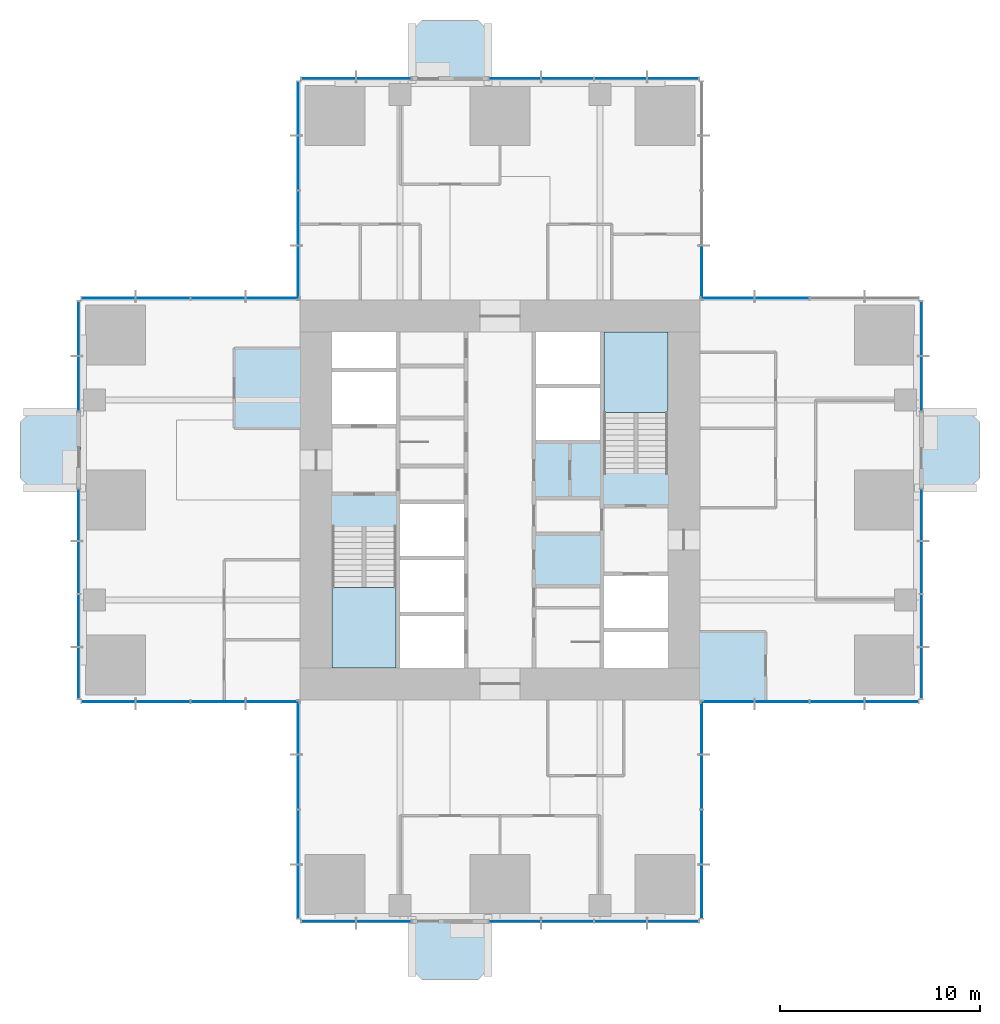
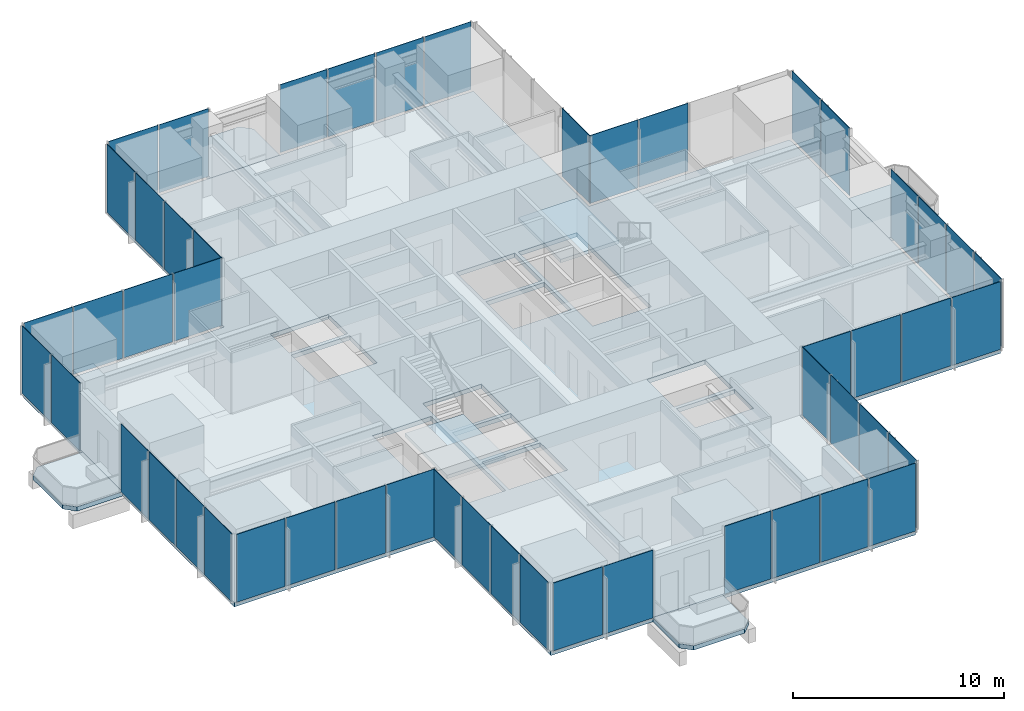
# One storey, part 7 of 13: 51 plates, 7 slabs, 18 elements without a shape of their own.
"""IFC4 building model written with IfcOpenShell, lengths in metres."""

from ifc_helpers import new_model, si_unit, direction, frame, origin, origin_2d, place, context, subcontext, project, spatial, polyline, rectangle, outline, extrude, material, layer, layer_set, type_object, element, aggregate, save


model = new_model("IFC4")

# Units and contexts
model_context = context("Model", 3, precision=1e-05, world=origin(), true_north=direction((0.0, 1.0)))
body_context = subcontext(model_context, "Body", "Model", "MODEL_VIEW")
ifc_project = project(units=[si_unit("LENGTHUNIT", "METRE"), si_unit("AREAUNIT", "SQUARE_METRE"), si_unit("VOLUMEUNIT", "CUBIC_METRE"), si_unit("PLANEANGLEUNIT", "RADIAN"), si_unit("MASSUNIT", "GRAM", prefix="KILO")], contexts=[model_context])

# Site, building, storey
site_placement = place(None, origin())
site = spatial("IfcSite", under=ifc_project, at=site_placement, CompositionType="ELEMENT")
building_placement = place(site_placement, origin())
building = spatial("IfcBuilding", under=site, at=building_placement, Name="Svetlomir Tower", CompositionType="ELEMENT")
storey_placement = place(building_placement, frame((0.0, 0.0, 156.5)))
storey = spatial("IfcBuildingStorey", under=building, at=storey_placement, Name="L37", CompositionType="ELEMENT", Elevation=156.5)

# Slabs
ifc_material_1 = material(Name="Concrete C60/75", Category="concrete")
ifc_layer_1 = layer(ifc_material_1, 0.25)
ifc_layer_set_1 = layer_set([ifc_layer_1], Name="Concrete C60/75")
slab_type_1 = type_object("IfcSlabType", Name="BALCONY SLAB 250", PredefinedType="FLOOR", material=ifc_layer_set_1)
slab_1_placement = place(storey_placement, frame((0.0, 0.0, -0.25)))
element("IfcSlab", 1, at=slab_1_placement, inside=storey, type_object=slab_type_1, Name="L37 S planted balcony", PredefinedType="FLOOR", context=body_context, shape_type="SweptSolid", body=[
    extrude(outline(polyline([(16.60009765625, -2.5), (17.10009765625, -3.0), (19.89990234375, -3.0), (20.39990234375, -2.5), (20.39990234375, 0.0), (16.60009765625, 0.0), (16.60009765625, -2.5)])), origin(), (0.0, 0.0, 1.0), 0.25),
])
slab_2_placement = place(storey_placement, frame((0.0, 0.0, -0.25)))
element("IfcSlab", 2, at=slab_2_placement, inside=storey, type_object=slab_type_1, Name="L37 E planted balcony", PredefinedType="FLOOR", context=body_context, shape_type="SweptSolid", body=[
    extrude(outline(polyline([(42.0, 21.60009765625), (44.5, 21.60009765625), (45.0, 22.10009765625), (45.0, 24.89990234375), (44.5, 25.39990234375), (42.0, 25.39990234375), (42.0, 21.60009765625)])), origin(), (0.0, 0.0, 1.0), 0.25),
])
slab_3_placement = place(storey_placement, frame((0.0, 0.0, -0.25)))
element("IfcSlab", 3, at=slab_3_placement, inside=storey, type_object=slab_type_1, Name="L37 N planted balcony", PredefinedType="FLOOR", context=body_context, shape_type="SweptSolid", body=[
    extrude(outline(polyline([(16.60009765625, 42.0), (20.39990234375, 42.0), (20.39990234375, 44.5), (19.89990234375, 45.0), (17.10009765625, 45.0), (16.60009765625, 44.5), (16.60009765625, 42.0)])), origin(), (0.0, 0.0, 1.0), 0.25),
])
slab_4_placement = place(storey_placement, frame((0.0, 0.0, -0.25)))
element("IfcSlab", 4, at=slab_4_placement, inside=storey, type_object=slab_type_1, Name="L37 W planted balcony", PredefinedType="FLOOR", context=body_context, shape_type="SweptSolid", body=[
    extrude(outline(polyline([(-2.5, 21.60009765625), (0.0, 21.60009765625), (0.0, 25.39990234375), (-2.5, 25.39990234375), (-3.0, 24.89990234375), (-3.0, 22.10009765625), (-2.5, 21.60009765625)])), origin(), (0.0, 0.0, 1.0), 0.25),
])

# Curtain wall, plates
ifc_material_2 = material(Name="Bronze anodised aluminium curtain wall", Category="aluminium")
curtain_wall_type = type_object("IfcCurtainWallType", Name="CURTAIN WALL CW1 TOWER OFFICE", PredefinedType="NOTDEFINED", material=ifc_material_2)
curtain_wall_1_placement = place(storey_placement, origin())
curtain_wall_1 = element("IfcCurtainWall", 5, at=curtain_wall_1_placement, inside=storey, type_object=curtain_wall_type, Name="Curtain wall CW1 L37", PredefinedType="NOTDEFINED")
ifc_material_3 = material(Name="Tinted double glazed unit", Category="glass")
ifc_layer_2 = layer(ifc_material_3, 0.031982421875)
ifc_layer_set_2 = layer_set([ifc_layer_2], Name="Tinted double glazed unit")
plate_type = type_object("IfcPlateType", Name="CW1 GLAZED PANEL 32", PredefinedType="CURTAIN_PANEL", material=ifc_layer_set_2)
plate_1_placement = place(storey_placement, frame((12.416259765625, -0.10009765625, 0.06494140625), z_axis=(0.0, 0.0, 1.0), x_axis=(1.0, 0.0, 0.0)))
plate_1 = element("IfcPlate", 6, at=plate_1_placement, type_object=plate_type, Name="CW1 panel 1.1", PredefinedType="CURTAIN_PANEL", context=body_context, shape_type="SweptSolid", body=[
    extrude(rectangle(XDim=2.702392578125, YDim=0.031982421875, at=origin_2d()), origin(), (0.0, 0.0, 1.0), 3.93505859375),
])
plate_2_placement = place(storey_placement, frame((15.183837890625, -0.10009765625, 0.06494140625), z_axis=(0.0, 0.0, 1.0), x_axis=(1.0, 0.0, 0.0)))
plate_2 = element("IfcPlate", 7, at=plate_2_placement, type_object=plate_type, Name="CW1 panel 2.1", PredefinedType="CURTAIN_PANEL", context=body_context, shape_type="SweptSolid", body=[
    extrude(rectangle(XDim=2.702392578125, YDim=0.031982421875, at=origin_2d()), origin(), (0.0, 0.0, 1.0), 3.93505859375),
])
aggregate(curtain_wall_1, [plate_1, plate_2])

curtain_wall_2_placement = place(storey_placement, origin())
curtain_wall_2 = element("IfcCurtainWall", 8, at=curtain_wall_2_placement, inside=storey, type_object=curtain_wall_type, Name="Curtain wall CW1 L37", PredefinedType="NOTDEFINED")
plate_3_placement = place(storey_placement, frame((21.7412109375, -0.10009765625, 0.06494140625), z_axis=(0.0, 0.0, 1.0), x_axis=(1.0, 0.0, 0.0)))
plate_3 = element("IfcPlate", 9, at=plate_3_placement, type_object=plate_type, Name="CW1 panel 1.1", PredefinedType="CURTAIN_PANEL", context=body_context, shape_type="SweptSolid", body=[
    extrude(rectangle(XDim=2.552490234375, YDim=0.031982421875, at=origin_2d()), origin(), (0.0, 0.0, 1.0), 3.93505859375),
])
plate_4_placement = place(storey_placement, frame((24.375, -0.10009765625, 0.06494140625), z_axis=(0.0, 0.0, 1.0), x_axis=(1.0, 0.0, 0.0)))
plate_4 = element("IfcPlate", 10, at=plate_4_placement, type_object=plate_type, Name="CW1 panel 2.1", PredefinedType="CURTAIN_PANEL", context=body_context, shape_type="SweptSolid", body=[
    extrude(rectangle(XDim=2.5849609375, YDim=0.031982421875, at=origin_2d()), origin(), (0.0, 0.0, 1.0), 3.93505859375),
])
plate_5_placement = place(storey_placement, frame((27.02490234375, -0.10009765625, 0.06494140625), z_axis=(0.0, 0.0, 1.0), x_axis=(1.0, 0.0, 0.0)))
plate_5 = element("IfcPlate", 11, at=plate_5_placement, type_object=plate_type, Name="CW1 panel 3.1", PredefinedType="CURTAIN_PANEL", context=body_context, shape_type="SweptSolid", body=[
    extrude(rectangle(XDim=2.5849609375, YDim=0.031982421875, at=origin_2d()), origin(), (0.0, 0.0, 1.0), 3.93505859375),
])
plate_6_placement = place(storey_placement, frame((29.65869140625, -0.10009765625, 0.06494140625), z_axis=(0.0, 0.0, 1.0), x_axis=(1.0, 0.0, 0.0)))
plate_6 = element("IfcPlate", 12, at=plate_6_placement, type_object=plate_type, Name="CW1 panel 4.1", PredefinedType="CURTAIN_PANEL", context=body_context, shape_type="SweptSolid", body=[
    extrude(rectangle(XDim=2.552490234375, YDim=0.031982421875, at=origin_2d()), origin(), (0.0, 0.0, 1.0), 3.93505859375),
])
aggregate(curtain_wall_2, [plate_3, plate_4, plate_5, plate_6])

curtain_wall_3_placement = place(storey_placement, origin())
curtain_wall_3 = element("IfcCurtainWall", 13, at=curtain_wall_3_placement, inside=storey, type_object=curtain_wall_type, Name="Curtain wall CW1 L37", PredefinedType="NOTDEFINED")
plate_7_placement = place(storey_placement, frame((31.10009765625, 1.391357421875, 0.06494140625), z_axis=(0.0, 0.0, 1.0), x_axis=(0.0, 1.0, 0.0)))
plate_7 = element("IfcPlate", 14, at=plate_7_placement, type_object=plate_type, Name="CW1 panel 1.1", PredefinedType="CURTAIN_PANEL", context=body_context, shape_type="SweptSolid", body=[
    extrude(rectangle(XDim=2.652587890625, YDim=0.031982421875, at=origin_2d()), origin(), (0.0, 0.0, 1.0), 3.93505859375),
])
plate_8_placement = place(storey_placement, frame((31.10009765625, 4.125, 0.06494140625), z_axis=(0.0, 0.0, 1.0), x_axis=(0.0, 1.0, 0.0)))
plate_8 = element("IfcPlate", 15, at=plate_8_placement, type_object=plate_type, Name="CW1 panel 2.1", PredefinedType="CURTAIN_PANEL", context=body_context, shape_type="SweptSolid", body=[
    extrude(rectangle(XDim=2.68505859375, YDim=0.031982421875, at=origin_2d()), origin(), (0.0, 0.0, 1.0), 3.93505859375),
])
plate_9_placement = place(storey_placement, frame((31.10009765625, 6.875, 0.06494140625), z_axis=(0.0, 0.0, 1.0), x_axis=(0.0, 1.0, 0.0)))
plate_9 = element("IfcPlate", 16, at=plate_9_placement, type_object=plate_type, Name="CW1 panel 3.1", PredefinedType="CURTAIN_PANEL", context=body_context, shape_type="SweptSolid", body=[
    extrude(rectangle(XDim=2.68505859375, YDim=0.031982421875, at=origin_2d()), origin(), (0.0, 0.0, 1.0), 3.93505859375),
])
plate_10_placement = place(storey_placement, frame((31.10009765625, 9.608642578125, 0.06494140625), z_axis=(0.0, 0.0, 1.0), x_axis=(0.0, 1.0, 0.0)))
plate_10 = element("IfcPlate", 17, at=plate_10_placement, type_object=plate_type, Name="CW1 panel 4.1", PredefinedType="CURTAIN_PANEL", context=body_context, shape_type="SweptSolid", body=[
    extrude(rectangle(XDim=2.652587890625, YDim=0.031982421875, at=origin_2d()), origin(), (0.0, 0.0, 1.0), 3.93505859375),
])
aggregate(curtain_wall_3, [plate_7, plate_8, plate_9, plate_10])

curtain_wall_4_placement = place(storey_placement, origin())
curtain_wall_4 = element("IfcCurtainWall", 18, at=curtain_wall_4_placement, inside=storey, type_object=curtain_wall_type, Name="Curtain wall CW1 L37", PredefinedType="NOTDEFINED")
plate_11_placement = place(storey_placement, frame((32.391357421875, 10.89990234375, 0.06494140625), z_axis=(0.0, 0.0, 1.0), x_axis=(1.0, 0.0, 0.0)))
plate_11 = element("IfcPlate", 19, at=plate_11_placement, type_object=plate_type, Name="CW1 panel 1.1", PredefinedType="CURTAIN_PANEL", context=body_context, shape_type="SweptSolid", body=[
    extrude(rectangle(XDim=2.652587890625, YDim=0.031982421875, at=origin_2d()), origin(), (0.0, 0.0, 1.0), 3.93505859375),
])
plate_12_placement = place(storey_placement, frame((35.125, 10.89990234375, 0.06494140625), z_axis=(0.0, 0.0, 1.0), x_axis=(1.0, 0.0, 0.0)))
plate_12 = element("IfcPlate", 20, at=plate_12_placement, type_object=plate_type, Name="CW1 panel 2.1", PredefinedType="CURTAIN_PANEL", context=body_context, shape_type="SweptSolid", body=[
    extrude(rectangle(XDim=2.68505859375, YDim=0.031982421875, at=origin_2d()), origin(), (0.0, 0.0, 1.0), 3.93505859375),
])
plate_13_placement = place(storey_placement, frame((37.875, 10.89990234375, 0.06494140625), z_axis=(0.0, 0.0, 1.0), x_axis=(1.0, 0.0, 0.0)))
plate_13 = element("IfcPlate", 21, at=plate_13_placement, type_object=plate_type, Name="CW1 panel 3.1", PredefinedType="CURTAIN_PANEL", context=body_context, shape_type="SweptSolid", body=[
    extrude(rectangle(XDim=2.68505859375, YDim=0.031982421875, at=origin_2d()), origin(), (0.0, 0.0, 1.0), 3.93505859375),
])
plate_14_placement = place(storey_placement, frame((40.608642578125, 10.89990234375, 0.06494140625), z_axis=(0.0, 0.0, 1.0), x_axis=(1.0, 0.0, 0.0)))
plate_14 = element("IfcPlate", 22, at=plate_14_placement, type_object=plate_type, Name="CW1 panel 4.1", PredefinedType="CURTAIN_PANEL", context=body_context, shape_type="SweptSolid", body=[
    extrude(rectangle(XDim=2.652587890625, YDim=0.031982421875, at=origin_2d()), origin(), (0.0, 0.0, 1.0), 3.93505859375),
])
aggregate(curtain_wall_4, [plate_11, plate_12, plate_13, plate_14])

curtain_wall_5_placement = place(storey_placement, origin())
curtain_wall_5 = element("IfcCurtainWall", 23, at=curtain_wall_5_placement, inside=storey, type_object=curtain_wall_type, Name="Curtain wall CW1 L37", PredefinedType="NOTDEFINED")
plate_15_placement = place(storey_placement, frame((42.10009765625, 12.34130859375, 0.06494140625), z_axis=(0.0, 0.0, 1.0), x_axis=(0.0, 1.0, 0.0)))
plate_15 = element("IfcPlate", 24, at=plate_15_placement, type_object=plate_type, Name="CW1 panel 1.1", PredefinedType="CURTAIN_PANEL", context=body_context, shape_type="SweptSolid", body=[
    extrude(rectangle(XDim=2.552490234375, YDim=0.031982421875, at=origin_2d()), origin(), (0.0, 0.0, 1.0), 3.93505859375),
])
plate_16_placement = place(storey_placement, frame((42.10009765625, 14.97509765625, 0.06494140625), z_axis=(0.0, 0.0, 1.0), x_axis=(0.0, 1.0, 0.0)))
plate_16 = element("IfcPlate", 25, at=plate_16_placement, type_object=plate_type, Name="CW1 panel 2.1", PredefinedType="CURTAIN_PANEL", context=body_context, shape_type="SweptSolid", body=[
    extrude(rectangle(XDim=2.5849609375, YDim=0.031982421875, at=origin_2d()), origin(), (0.0, 0.0, 1.0), 3.93505859375),
])
plate_17_placement = place(storey_placement, frame((42.10009765625, 17.625, 0.06494140625), z_axis=(0.0, 0.0, 1.0), x_axis=(0.0, 1.0, 0.0)))
plate_17 = element("IfcPlate", 26, at=plate_17_placement, type_object=plate_type, Name="CW1 panel 3.1", PredefinedType="CURTAIN_PANEL", context=body_context, shape_type="SweptSolid", body=[
    extrude(rectangle(XDim=2.5849609375, YDim=0.031982421875, at=origin_2d()), origin(), (0.0, 0.0, 1.0), 3.93505859375),
])
plate_18_placement = place(storey_placement, frame((42.10009765625, 20.2587890625, 0.06494140625), z_axis=(0.0, 0.0, 1.0), x_axis=(0.0, 1.0, 0.0)))
plate_18 = element("IfcPlate", 27, at=plate_18_placement, type_object=plate_type, Name="CW1 panel 4.1", PredefinedType="CURTAIN_PANEL", context=body_context, shape_type="SweptSolid", body=[
    extrude(rectangle(XDim=2.552490234375, YDim=0.031982421875, at=origin_2d()), origin(), (0.0, 0.0, 1.0), 3.93505859375),
])
aggregate(curtain_wall_5, [plate_15, plate_16, plate_17, plate_18])

curtain_wall_6_placement = place(storey_placement, origin())
curtain_wall_6 = element("IfcCurtainWall", 28, at=curtain_wall_6_placement, inside=storey, type_object=curtain_wall_type, Name="Curtain wall CW1 L37", PredefinedType="NOTDEFINED")
plate_19_placement = place(storey_placement, frame((42.10009765625, 26.816162109375, 0.06494140625), z_axis=(0.0, 0.0, 1.0), x_axis=(0.0, 1.0, 0.0)))
plate_19 = element("IfcPlate", 29, at=plate_19_placement, type_object=plate_type, Name="CW1 panel 1.1", PredefinedType="CURTAIN_PANEL", context=body_context, shape_type="SweptSolid", body=[
    extrude(rectangle(XDim=2.702392578125, YDim=0.031982421875, at=origin_2d()), origin(), (0.0, 0.0, 1.0), 3.93505859375),
])
plate_20_placement = place(storey_placement, frame((42.10009765625, 29.583740234375, 0.06494140625), z_axis=(0.0, 0.0, 1.0), x_axis=(0.0, 1.0, 0.0)))
plate_20 = element("IfcPlate", 30, at=plate_20_placement, type_object=plate_type, Name="CW1 panel 2.1", PredefinedType="CURTAIN_PANEL", context=body_context, shape_type="SweptSolid", body=[
    extrude(rectangle(XDim=2.702392578125, YDim=0.031982421875, at=origin_2d()), origin(), (0.0, 0.0, 1.0), 3.93505859375),
])
aggregate(curtain_wall_6, [plate_19, plate_20])

curtain_wall_7_placement = place(storey_placement, origin())
curtain_wall_7 = element("IfcCurtainWall", 31, at=curtain_wall_7_placement, inside=storey, type_object=curtain_wall_type, Name="Curtain wall CW1 L37", PredefinedType="NOTDEFINED")
plate_21_placement = place(storey_placement, frame((35.125, 31.10009765625, 0.06494140625), z_axis=(0.0, 0.0, 1.0), x_axis=(-1.0, 0.0, 0.0)))
plate_21 = element("IfcPlate", 32, at=plate_21_placement, type_object=plate_type, Name="CW1 panel 3.1", PredefinedType="CURTAIN_PANEL", context=body_context, shape_type="SweptSolid", body=[
    extrude(rectangle(XDim=2.68505859375, YDim=0.031982421875, at=origin_2d()), origin(), (0.0, 0.0, 1.0), 3.93505859375),
])
plate_22_placement = place(storey_placement, frame((32.391357421875, 31.10009765625, 0.06494140625), z_axis=(0.0, 0.0, 1.0), x_axis=(-1.0, 0.0, 0.0)))
plate_22 = element("IfcPlate", 33, at=plate_22_placement, type_object=plate_type, Name="CW1 panel 4.1", PredefinedType="CURTAIN_PANEL", context=body_context, shape_type="SweptSolid", body=[
    extrude(rectangle(XDim=2.652587890625, YDim=0.031982421875, at=origin_2d()), origin(), (0.0, 0.0, 1.0), 3.93505859375),
])
aggregate(curtain_wall_7, [plate_21, plate_22])

# Curtain wall, plate
curtain_wall_8_placement = place(storey_placement, origin())
curtain_wall_8 = element("IfcCurtainWall", 34, at=curtain_wall_8_placement, inside=storey, type_object=curtain_wall_type, Name="Curtain wall CW1 L37", PredefinedType="NOTDEFINED")
plate_23_placement = place(storey_placement, frame((31.10009765625, 32.391357421875, 0.06494140625), z_axis=(0.0, 0.0, 1.0), x_axis=(0.0, 1.0, 0.0)))
plate_23 = element("IfcPlate", 35, at=plate_23_placement, type_object=plate_type, Name="CW1 panel 1.1", PredefinedType="CURTAIN_PANEL", context=body_context, shape_type="SweptSolid", body=[
    extrude(rectangle(XDim=2.652587890625, YDim=0.031982421875, at=origin_2d()), origin(), (0.0, 0.0, 1.0), 3.93505859375),
])
aggregate(curtain_wall_8, [plate_23])

# Curtain wall, plates
curtain_wall_9_placement = place(storey_placement, origin())
curtain_wall_9 = element("IfcCurtainWall", 36, at=curtain_wall_9_placement, inside=storey, type_object=curtain_wall_type, Name="Curtain wall CW1 L37", PredefinedType="NOTDEFINED")
plate_24_placement = place(storey_placement, frame((29.65869140625, 42.10009765625, 0.06494140625), z_axis=(0.0, 0.0, 1.0), x_axis=(-1.0, 0.0, 0.0)))
plate_24 = element("IfcPlate", 37, at=plate_24_placement, type_object=plate_type, Name="CW1 panel 1.1", PredefinedType="CURTAIN_PANEL", context=body_context, shape_type="SweptSolid", body=[
    extrude(rectangle(XDim=2.552490234375, YDim=0.031982421875, at=origin_2d()), origin(), (0.0, 0.0, 1.0), 3.93505859375),
])
plate_25_placement = place(storey_placement, frame((27.02490234375, 42.10009765625, 0.06494140625), z_axis=(0.0, 0.0, 1.0), x_axis=(-1.0, 0.0, 0.0)))
plate_25 = element("IfcPlate", 38, at=plate_25_placement, type_object=plate_type, Name="CW1 panel 2.1", PredefinedType="CURTAIN_PANEL", context=body_context, shape_type="SweptSolid", body=[
    extrude(rectangle(XDim=2.5849609375, YDim=0.031982421875, at=origin_2d()), origin(), (0.0, 0.0, 1.0), 3.93505859375),
])
plate_26_placement = place(storey_placement, frame((24.375, 42.10009765625, 0.06494140625), z_axis=(0.0, 0.0, 1.0), x_axis=(-1.0, 0.0, 0.0)))
plate_26 = element("IfcPlate", 39, at=plate_26_placement, type_object=plate_type, Name="CW1 panel 3.1", PredefinedType="CURTAIN_PANEL", context=body_context, shape_type="SweptSolid", body=[
    extrude(rectangle(XDim=2.5849609375, YDim=0.031982421875, at=origin_2d()), origin(), (0.0, 0.0, 1.0), 3.93505859375),
])
plate_27_placement = place(storey_placement, frame((21.7412109375, 42.10009765625, 0.06494140625), z_axis=(0.0, 0.0, 1.0), x_axis=(-1.0, 0.0, 0.0)))
plate_27 = element("IfcPlate", 40, at=plate_27_placement, type_object=plate_type, Name="CW1 panel 4.1", PredefinedType="CURTAIN_PANEL", context=body_context, shape_type="SweptSolid", body=[
    extrude(rectangle(XDim=2.552490234375, YDim=0.031982421875, at=origin_2d()), origin(), (0.0, 0.0, 1.0), 3.93505859375),
])
aggregate(curtain_wall_9, [plate_24, plate_25, plate_26, plate_27])

curtain_wall_10_placement = place(storey_placement, origin())
curtain_wall_10 = element("IfcCurtainWall", 41, at=curtain_wall_10_placement, inside=storey, type_object=curtain_wall_type, Name="Curtain wall CW1 L37", PredefinedType="NOTDEFINED")
plate_28_placement = place(storey_placement, frame((15.183837890625, 42.10009765625, 0.06494140625), z_axis=(0.0, 0.0, 1.0), x_axis=(-1.0, 0.0, 0.0)))
plate_28 = element("IfcPlate", 42, at=plate_28_placement, type_object=plate_type, Name="CW1 panel 1.1", PredefinedType="CURTAIN_PANEL", context=body_context, shape_type="SweptSolid", body=[
    extrude(rectangle(XDim=2.702392578125, YDim=0.031982421875, at=origin_2d()), origin(), (0.0, 0.0, 1.0), 3.93505859375),
])
plate_29_placement = place(storey_placement, frame((12.416259765625, 42.10009765625, 0.06494140625), z_axis=(0.0, 0.0, 1.0), x_axis=(-1.0, 0.0, 0.0)))
plate_29 = element("IfcPlate", 43, at=plate_29_placement, type_object=plate_type, Name="CW1 panel 2.1", PredefinedType="CURTAIN_PANEL", context=body_context, shape_type="SweptSolid", body=[
    extrude(rectangle(XDim=2.702392578125, YDim=0.031982421875, at=origin_2d()), origin(), (0.0, 0.0, 1.0), 3.93505859375),
])
aggregate(curtain_wall_10, [plate_28, plate_29])

curtain_wall_11_placement = place(storey_placement, origin())
curtain_wall_11 = element("IfcCurtainWall", 44, at=curtain_wall_11_placement, inside=storey, type_object=curtain_wall_type, Name="Curtain wall CW1 L37", PredefinedType="NOTDEFINED")
plate_30_placement = place(storey_placement, frame((10.89990234375, 40.608642578125, 0.06494140625), z_axis=(0.0, 0.0, 1.0), x_axis=(0.0, -1.0, 0.0)))
plate_30 = element("IfcPlate", 45, at=plate_30_placement, type_object=plate_type, Name="CW1 panel 1.1", PredefinedType="CURTAIN_PANEL", context=body_context, shape_type="SweptSolid", body=[
    extrude(rectangle(XDim=2.652587890625, YDim=0.031982421875, at=origin_2d()), origin(), (0.0, 0.0, 1.0), 3.93505859375),
])
plate_31_placement = place(storey_placement, frame((10.89990234375, 37.875, 0.06494140625), z_axis=(0.0, 0.0, 1.0), x_axis=(0.0, -1.0, 0.0)))
plate_31 = element("IfcPlate", 46, at=plate_31_placement, type_object=plate_type, Name="CW1 panel 2.1", PredefinedType="CURTAIN_PANEL", context=body_context, shape_type="SweptSolid", body=[
    extrude(rectangle(XDim=2.68505859375, YDim=0.031982421875, at=origin_2d()), origin(), (0.0, 0.0, 1.0), 3.93505859375),
])
plate_32_placement = place(storey_placement, frame((10.89990234375, 35.125, 0.06494140625), z_axis=(0.0, 0.0, 1.0), x_axis=(0.0, -1.0, 0.0)))
plate_32 = element("IfcPlate", 47, at=plate_32_placement, type_object=plate_type, Name="CW1 panel 3.1", PredefinedType="CURTAIN_PANEL", context=body_context, shape_type="SweptSolid", body=[
    extrude(rectangle(XDim=2.68505859375, YDim=0.031982421875, at=origin_2d()), origin(), (0.0, 0.0, 1.0), 3.93505859375),
])
plate_33_placement = place(storey_placement, frame((10.89990234375, 32.391357421875, 0.06494140625), z_axis=(0.0, 0.0, 1.0), x_axis=(0.0, -1.0, 0.0)))
plate_33 = element("IfcPlate", 48, at=plate_33_placement, type_object=plate_type, Name="CW1 panel 4.1", PredefinedType="CURTAIN_PANEL", context=body_context, shape_type="SweptSolid", body=[
    extrude(rectangle(XDim=2.652587890625, YDim=0.031982421875, at=origin_2d()), origin(), (0.0, 0.0, 1.0), 3.93505859375),
])
aggregate(curtain_wall_11, [plate_30, plate_31, plate_32, plate_33])

curtain_wall_12_placement = place(storey_placement, origin())
curtain_wall_12 = element("IfcCurtainWall", 49, at=curtain_wall_12_placement, inside=storey, type_object=curtain_wall_type, Name="Curtain wall CW1 L37", PredefinedType="NOTDEFINED")
plate_34_placement = place(storey_placement, frame((9.608642578125, 31.10009765625, 0.06494140625), z_axis=(0.0, 0.0, 1.0), x_axis=(-1.0, 0.0, 0.0)))
plate_34 = element("IfcPlate", 50, at=plate_34_placement, type_object=plate_type, Name="CW1 panel 1.1", PredefinedType="CURTAIN_PANEL", context=body_context, shape_type="SweptSolid", body=[
    extrude(rectangle(XDim=2.652587890625, YDim=0.031982421875, at=origin_2d()), origin(), (0.0, 0.0, 1.0), 3.93505859375),
])
plate_35_placement = place(storey_placement, frame((6.875, 31.10009765625, 0.06494140625), z_axis=(0.0, 0.0, 1.0), x_axis=(-1.0, 0.0, 0.0)))
plate_35 = element("IfcPlate", 51, at=plate_35_placement, type_object=plate_type, Name="CW1 panel 2.1", PredefinedType="CURTAIN_PANEL", context=body_context, shape_type="SweptSolid", body=[
    extrude(rectangle(XDim=2.68505859375, YDim=0.031982421875, at=origin_2d()), origin(), (0.0, 0.0, 1.0), 3.93505859375),
])
plate_36_placement = place(storey_placement, frame((4.125, 31.10009765625, 0.06494140625), z_axis=(0.0, 0.0, 1.0), x_axis=(-1.0, 0.0, 0.0)))
plate_36 = element("IfcPlate", 52, at=plate_36_placement, type_object=plate_type, Name="CW1 panel 3.1", PredefinedType="CURTAIN_PANEL", context=body_context, shape_type="SweptSolid", body=[
    extrude(rectangle(XDim=2.68505859375, YDim=0.031982421875, at=origin_2d()), origin(), (0.0, 0.0, 1.0), 3.93505859375),
])
plate_37_placement = place(storey_placement, frame((1.391357421875, 31.10009765625, 0.06494140625), z_axis=(0.0, 0.0, 1.0), x_axis=(-1.0, 0.0, 0.0)))
plate_37 = element("IfcPlate", 53, at=plate_37_placement, type_object=plate_type, Name="CW1 panel 4.1", PredefinedType="CURTAIN_PANEL", context=body_context, shape_type="SweptSolid", body=[
    extrude(rectangle(XDim=2.652587890625, YDim=0.031982421875, at=origin_2d()), origin(), (0.0, 0.0, 1.0), 3.93505859375),
])
aggregate(curtain_wall_12, [plate_34, plate_35, plate_36, plate_37])

curtain_wall_13_placement = place(storey_placement, origin())
curtain_wall_13 = element("IfcCurtainWall", 54, at=curtain_wall_13_placement, inside=storey, type_object=curtain_wall_type, Name="Curtain wall CW1 L37", PredefinedType="NOTDEFINED")
plate_38_placement = place(storey_placement, frame((-0.10009765625, 29.583740234375, 0.06494140625), z_axis=(0.0, 0.0, 1.0), x_axis=(0.0, -1.0, 0.0)))
plate_38 = element("IfcPlate", 55, at=plate_38_placement, type_object=plate_type, Name="CW1 panel 1.1", PredefinedType="CURTAIN_PANEL", context=body_context, shape_type="SweptSolid", body=[
    extrude(rectangle(XDim=2.702392578125, YDim=0.031982421875, at=origin_2d()), origin(), (0.0, 0.0, 1.0), 3.93505859375),
])
plate_39_placement = place(storey_placement, frame((-0.10009765625, 26.816162109375, 0.06494140625), z_axis=(0.0, 0.0, 1.0), x_axis=(0.0, -1.0, 0.0)))
plate_39 = element("IfcPlate", 56, at=plate_39_placement, type_object=plate_type, Name="CW1 panel 2.1", PredefinedType="CURTAIN_PANEL", context=body_context, shape_type="SweptSolid", body=[
    extrude(rectangle(XDim=2.702392578125, YDim=0.031982421875, at=origin_2d()), origin(), (0.0, 0.0, 1.0), 3.93505859375),
])
aggregate(curtain_wall_13, [plate_38, plate_39])

curtain_wall_14_placement = place(storey_placement, origin())
curtain_wall_14 = element("IfcCurtainWall", 57, at=curtain_wall_14_placement, inside=storey, type_object=curtain_wall_type, Name="Curtain wall CW1 L37", PredefinedType="NOTDEFINED")
plate_40_placement = place(storey_placement, frame((-0.10009765625, 20.2587890625, 0.06494140625), z_axis=(0.0, 0.0, 1.0), x_axis=(0.0, -1.0, 0.0)))
plate_40 = element("IfcPlate", 58, at=plate_40_placement, type_object=plate_type, Name="CW1 panel 1.1", PredefinedType="CURTAIN_PANEL", context=body_context, shape_type="SweptSolid", body=[
    extrude(rectangle(XDim=2.552490234375, YDim=0.031982421875, at=origin_2d()), origin(), (0.0, 0.0, 1.0), 3.93505859375),
])
plate_41_placement = place(storey_placement, frame((-0.10009765625, 17.625, 0.06494140625), z_axis=(0.0, 0.0, 1.0), x_axis=(0.0, -1.0, 0.0)))
plate_41 = element("IfcPlate", 59, at=plate_41_placement, type_object=plate_type, Name="CW1 panel 2.1", PredefinedType="CURTAIN_PANEL", context=body_context, shape_type="SweptSolid", body=[
    extrude(rectangle(XDim=2.5849609375, YDim=0.031982421875, at=origin_2d()), origin(), (0.0, 0.0, 1.0), 3.93505859375),
])
plate_42_placement = place(storey_placement, frame((-0.10009765625, 14.97509765625, 0.06494140625), z_axis=(0.0, 0.0, 1.0), x_axis=(0.0, -1.0, 0.0)))
plate_42 = element("IfcPlate", 60, at=plate_42_placement, type_object=plate_type, Name="CW1 panel 3.1", PredefinedType="CURTAIN_PANEL", context=body_context, shape_type="SweptSolid", body=[
    extrude(rectangle(XDim=2.5849609375, YDim=0.031982421875, at=origin_2d()), origin(), (0.0, 0.0, 1.0), 3.93505859375),
])
plate_43_placement = place(storey_placement, frame((-0.10009765625, 12.34130859375, 0.06494140625), z_axis=(0.0, 0.0, 1.0), x_axis=(0.0, -1.0, 0.0)))
plate_43 = element("IfcPlate", 61, at=plate_43_placement, type_object=plate_type, Name="CW1 panel 4.1", PredefinedType="CURTAIN_PANEL", context=body_context, shape_type="SweptSolid", body=[
    extrude(rectangle(XDim=2.552490234375, YDim=0.031982421875, at=origin_2d()), origin(), (0.0, 0.0, 1.0), 3.93505859375),
])
aggregate(curtain_wall_14, [plate_40, plate_41, plate_42, plate_43])

curtain_wall_15_placement = place(storey_placement, origin())
curtain_wall_15 = element("IfcCurtainWall", 62, at=curtain_wall_15_placement, inside=storey, type_object=curtain_wall_type, Name="Curtain wall CW1 L37", PredefinedType="NOTDEFINED")
plate_44_placement = place(storey_placement, frame((1.391357421875, 10.89990234375, 0.06494140625), z_axis=(0.0, 0.0, 1.0), x_axis=(1.0, 0.0, 0.0)))
plate_44 = element("IfcPlate", 63, at=plate_44_placement, type_object=plate_type, Name="CW1 panel 1.1", PredefinedType="CURTAIN_PANEL", context=body_context, shape_type="SweptSolid", body=[
    extrude(rectangle(XDim=2.652587890625, YDim=0.031982421875, at=origin_2d()), origin(), (0.0, 0.0, 1.0), 3.93505859375),
])
plate_45_placement = place(storey_placement, frame((4.125, 10.89990234375, 0.06494140625), z_axis=(0.0, 0.0, 1.0), x_axis=(1.0, 0.0, 0.0)))
plate_45 = element("IfcPlate", 64, at=plate_45_placement, type_object=plate_type, Name="CW1 panel 2.1", PredefinedType="CURTAIN_PANEL", context=body_context, shape_type="SweptSolid", body=[
    extrude(rectangle(XDim=2.68505859375, YDim=0.031982421875, at=origin_2d()), origin(), (0.0, 0.0, 1.0), 3.93505859375),
])
plate_46_placement = place(storey_placement, frame((6.875, 10.89990234375, 0.06494140625), z_axis=(0.0, 0.0, 1.0), x_axis=(1.0, 0.0, 0.0)))
plate_46 = element("IfcPlate", 65, at=plate_46_placement, type_object=plate_type, Name="CW1 panel 3.1", PredefinedType="CURTAIN_PANEL", context=body_context, shape_type="SweptSolid", body=[
    extrude(rectangle(XDim=2.68505859375, YDim=0.031982421875, at=origin_2d()), origin(), (0.0, 0.0, 1.0), 3.93505859375),
])
plate_47_placement = place(storey_placement, frame((9.608642578125, 10.89990234375, 0.06494140625), z_axis=(0.0, 0.0, 1.0), x_axis=(1.0, 0.0, 0.0)))
plate_47 = element("IfcPlate", 66, at=plate_47_placement, type_object=plate_type, Name="CW1 panel 4.1", PredefinedType="CURTAIN_PANEL", context=body_context, shape_type="SweptSolid", body=[
    extrude(rectangle(XDim=2.652587890625, YDim=0.031982421875, at=origin_2d()), origin(), (0.0, 0.0, 1.0), 3.93505859375),
])
aggregate(curtain_wall_15, [plate_44, plate_45, plate_46, plate_47])

curtain_wall_16_placement = place(storey_placement, origin())
curtain_wall_16 = element("IfcCurtainWall", 67, at=curtain_wall_16_placement, inside=storey, type_object=curtain_wall_type, Name="Curtain wall CW1 L37", PredefinedType="NOTDEFINED")
plate_48_placement = place(storey_placement, frame((10.89990234375, 9.608642578125, 0.06494140625), z_axis=(0.0, 0.0, 1.0), x_axis=(0.0, -1.0, 0.0)))
plate_48 = element("IfcPlate", 68, at=plate_48_placement, type_object=plate_type, Name="CW1 panel 1.1", PredefinedType="CURTAIN_PANEL", context=body_context, shape_type="SweptSolid", body=[
    extrude(rectangle(XDim=2.652587890625, YDim=0.031982421875, at=origin_2d()), origin(), (0.0, 0.0, 1.0), 3.93505859375),
])
plate_49_placement = place(storey_placement, frame((10.89990234375, 6.875, 0.06494140625), z_axis=(0.0, 0.0, 1.0), x_axis=(0.0, -1.0, 0.0)))
plate_49 = element("IfcPlate", 69, at=plate_49_placement, type_object=plate_type, Name="CW1 panel 2.1", PredefinedType="CURTAIN_PANEL", context=body_context, shape_type="SweptSolid", body=[
    extrude(rectangle(XDim=2.68505859375, YDim=0.031982421875, at=origin_2d()), origin(), (0.0, 0.0, 1.0), 3.93505859375),
])
plate_50_placement = place(storey_placement, frame((10.89990234375, 4.125, 0.06494140625), z_axis=(0.0, 0.0, 1.0), x_axis=(0.0, -1.0, 0.0)))
plate_50 = element("IfcPlate", 70, at=plate_50_placement, type_object=plate_type, Name="CW1 panel 3.1", PredefinedType="CURTAIN_PANEL", context=body_context, shape_type="SweptSolid", body=[
    extrude(rectangle(XDim=2.68505859375, YDim=0.031982421875, at=origin_2d()), origin(), (0.0, 0.0, 1.0), 3.93505859375),
])
plate_51_placement = place(storey_placement, frame((10.89990234375, 1.391357421875, 0.06494140625), z_axis=(0.0, 0.0, 1.0), x_axis=(0.0, -1.0, 0.0)))
plate_51 = element("IfcPlate", 71, at=plate_51_placement, type_object=plate_type, Name="CW1 panel 4.1", PredefinedType="CURTAIN_PANEL", context=body_context, shape_type="SweptSolid", body=[
    extrude(rectangle(XDim=2.652587890625, YDim=0.031982421875, at=origin_2d()), origin(), (0.0, 0.0, 1.0), 3.93505859375),
])
aggregate(curtain_wall_16, [plate_48, plate_49, plate_50, plate_51])

# Slab
ifc_material_4 = material(Name="Concrete C60/75", Category="concrete")
ifc_layer_3 = layer(ifc_material_4, 0.25)
ifc_layer_set_3 = layer_set([ifc_layer_3], Name="Concrete C60/75")
slab_type_2 = type_object("IfcSlabType", Name="FLOOR SLAB 250", PredefinedType="FLOOR", material=ifc_layer_set_3)
slab_5_placement = place(storey_placement, frame((0.0, 0.0, -0.25)))
element("IfcSlab", 72, at=slab_5_placement, inside=storey, type_object=slab_type_2, Name="L37 floor slab", PredefinedType="FLOOR", context=body_context, shape_type="SweptSolid", body=[
    extrude(outline(polyline([(11.0, 0.0), (31.0, 0.0), (31.0, 11.0), (42.0, 11.0), (42.0, 31.0), (31.0, 31.0), (31.0, 42.0), (11.0, 42.0), (11.0, 31.0), (0.0, 31.0), (0.0, 11.0), (11.0, 11.0), (11.0, 0.0)]), holes=[polyline([(12.60009765625, 24.800048828125), (15.800048828125, 24.800048828125), (15.800048828125, 27.39990234375), (12.60009765625, 27.39990234375), (12.60009765625, 24.800048828125)]), polyline([(26.199951171875, 14.60009765625), (29.39990234375, 14.60009765625), (29.39990234375, 17.199951171875), (26.199951171875, 17.199951171875), (26.199951171875, 14.60009765625)]), polyline([(16.0, 12.60009765625), (19.199951171875, 12.60009765625), (19.199951171875, 15.199951171875), (16.0, 15.199951171875), (16.0, 12.60009765625)]), polyline([(16.0, 15.39990234375), (19.199951171875, 15.39990234375), (19.199951171875, 18.0), (16.0, 18.0), (16.0, 15.39990234375)]), polyline([(16.0, 18.199951171875), (19.199951171875, 18.199951171875), (19.199951171875, 20.800048828125), (16.0, 20.800048828125), (16.0, 18.199951171875)]), polyline([(22.800048828125, 24.0), (26.0, 24.0), (26.0, 26.60009765625), (22.800048828125, 26.60009765625), (22.800048828125, 24.0)]), polyline([(22.800048828125, 26.800048828125), (26.0, 26.800048828125), (26.0, 29.39990234375), (22.800048828125, 29.39990234375), (22.800048828125, 26.800048828125)]), polyline([(12.60009765625, 27.60009765625), (15.800048828125, 27.60009765625), (15.800048828125, 29.39990234375), (12.60009765625, 29.39990234375), (12.60009765625, 27.60009765625)]), polyline([(26.199951171875, 12.60009765625), (29.39990234375, 12.60009765625), (29.39990234375, 14.39990234375), (26.199951171875, 14.39990234375), (26.199951171875, 12.60009765625)]), polyline([(12.60009765625, 12.60009765625), (15.800048828125, 12.60009765625), (15.800048828125, 19.679931640625), (12.60009765625, 19.679931640625), (12.60009765625, 12.60009765625)]), polyline([(26.199951171875, 22.320068359375), (29.39990234375, 22.320068359375), (29.39990234375, 29.39990234375), (26.199951171875, 29.39990234375), (26.199951171875, 22.320068359375)])]), origin(), (0.0, 0.0, 1.0), 0.25),
])

# Stair, slab
ifc_material_5 = material(Name="Concrete C60/75", Category="concrete")
stair_type = type_object("IfcStairType", Name="EXIT STAIR 3200 RISE 4000", PredefinedType="HALF_TURN_STAIR", material=ifc_material_5)
stair_1_placement = place(storey_placement, origin())
stair_1 = element("IfcStair", 73, at=stair_1_placement, inside=storey, type_object=stair_type, Name="Stair S1 L37 to L38", PredefinedType="HALF_TURN_STAIR")
ifc_material_6 = material(Name="Concrete C60/75", Category="concrete")
ifc_layer_4 = layer(ifc_material_6, 0.199951171875)
ifc_layer_set_4 = layer_set([ifc_layer_4], Name="Concrete C60/75")
slab_type_3 = type_object("IfcSlabType", Name="STAIR LANDING 200", PredefinedType="LANDING", material=ifc_layer_set_4)
slab_6_placement = place(storey_placement, frame((0.0, 0.0, 1.800048828125)))
slab_6 = element("IfcSlab", 74, at=slab_6_placement, type_object=slab_type_3, Name="S1 landing 1", PredefinedType="LANDING", context=body_context, shape_type="SweptSolid", body=[
    extrude(outline(polyline([(12.60009765625, 12.60009765625), (15.800048828125, 12.60009765625), (15.800048828125, 16.6201171875), (12.60009765625, 16.6201171875), (12.60009765625, 12.60009765625)])), origin(), (0.0, 0.0, 1.0), 0.199951171875),
])
aggregate(stair_1, [slab_6])

stair_2_placement = place(storey_placement, origin())
stair_2 = element("IfcStair", 75, at=stair_2_placement, inside=storey, type_object=stair_type, Name="Stair S2 L37 to L38", PredefinedType="HALF_TURN_STAIR")
slab_7_placement = place(storey_placement, frame((0.0, 0.0, 1.800048828125)))
slab_7 = element("IfcSlab", 76, at=slab_7_placement, type_object=slab_type_3, Name="S2 landing 1", PredefinedType="LANDING", context=body_context, shape_type="SweptSolid", body=[
    extrude(outline(polyline([(26.199951171875, 25.3798828125), (29.39990234375, 25.3798828125), (29.39990234375, 29.39990234375), (26.199951171875, 29.39990234375), (26.199951171875, 25.3798828125)])), origin(), (0.0, 0.0, 1.0), 0.199951171875),
])
aggregate(stair_2, [slab_7])

save(model, "model.ifc")
